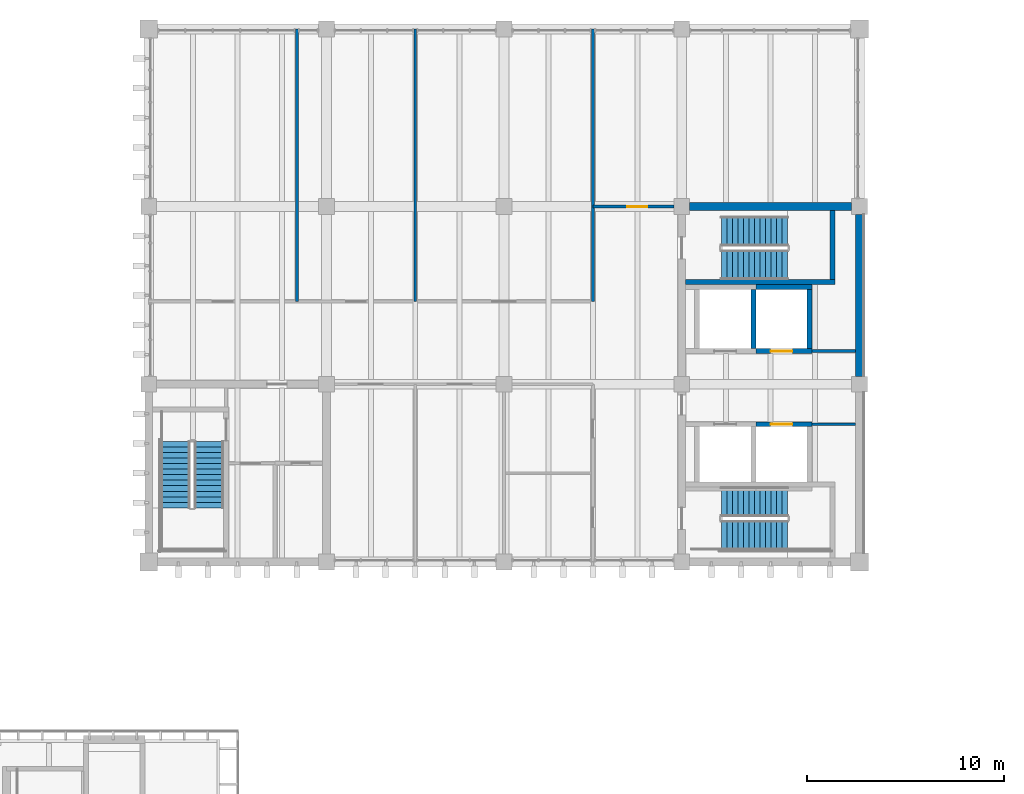
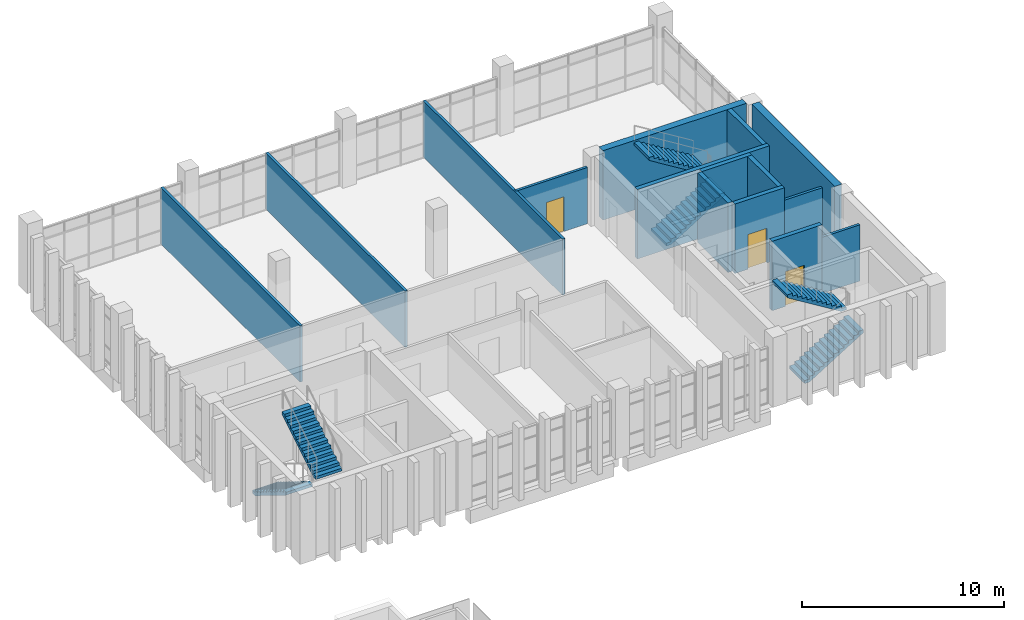
# One storey, part 20 of 29: 15 walls, 6 stair flights, 3 doors, 3 openings, 3 elements without a shape of their own.
"""IFC4 building model written with IfcOpenShell, lengths in metres."""

from ifc_helpers import new_model, si_unit, direction, frame, frame_2d, origin, place, context, subcontext, project, spatial, polyline, rectangle, outline, extrude, material, layer, layer_set, type_object, element, fill, aggregate, save


model = new_model("IFC4")

# Units and contexts
model_context = context("Model", 3, precision=1e-05, world=origin(), true_north=direction((0.0, 1.0)))
body_context = subcontext(model_context, "Body", "Model", "MODEL_VIEW")
ifc_project = project(units=[si_unit("LENGTHUNIT", "METRE"), si_unit("AREAUNIT", "SQUARE_METRE"), si_unit("VOLUMEUNIT", "CUBIC_METRE"), si_unit("PLANEANGLEUNIT", "RADIAN"), si_unit("MASSUNIT", "GRAM", prefix="KILO")], contexts=[model_context])

# Site, building, storey
site_placement = place(None, origin())
site = spatial("IfcSite", under=ifc_project, at=site_placement, CompositionType="ELEMENT")
building_placement = place(site_placement, origin())
building = spatial("IfcBuilding", under=site, at=building_placement, Name="Merrow Basin Faculty of Sciences", CompositionType="ELEMENT")
storey_placement = place(building_placement, frame((0.0, 0.0, 22.5)))
storey = spatial("IfcBuildingStorey", under=building, at=storey_placement, Name="L05", CompositionType="ELEMENT", Elevation=22.5)

# Walls
ifc_material_1 = material(Name="Fire-rated gypsum board")
ifc_layer_1 = layer(ifc_material_1, 0.14990234375)
ifc_layer_set_1 = layer_set([ifc_layer_1], Name="Corridor partition 150 fire-rated board on steel studs")
wall_type_1 = type_object("IfcWallType", Name="Corridor partition 150 fire-rated board on steel studs", PredefinedType="PARTITIONING", material=ifc_layer_set_1)
for number, where, z_axis, x_axis, name in (
    (1, (51.60009765625, 148.97509765625, 0.0), (0.0, 0.0, 1.0), (1.0, 0.0, 0.0), "IW151 L05 006"),
    (2, (51.60009765625, 152.675048828125, 0.0), (0.0, 0.0, 1.0), (1.0, 0.0, 0.0), "IW151 L05 008"),
):
    element("IfcWall", number, at=place(storey_placement, frame(where, z_axis=z_axis, x_axis=x_axis)), inside=storey, type_object=wall_type_1, Name=name, PredefinedType="PARTITIONING", context=body_context, shape_type="SweptSolid", body=[
        extrude(rectangle(XDim=2.199951171875, YDim=0.14990234375, at=frame_2d((1.10009765625, 0.0))), origin(), (0.0, 0.0, 1.0), 3.39990234375),
    ])

# Wall, opening, door
wall_1_placement = place(storey_placement, frame((40.5, 160.0, 0.0), z_axis=(0.0, 0.0, 1.0), x_axis=(1.0, 0.0, 0.0)))
wall_1 = element("IfcWall", 3, at=wall_1_placement, inside=storey, type_object=wall_type_1, Name="IW151 L05 009", PredefinedType="PARTITIONING", context=body_context, shape_type="SweptSolid", body=[
    extrude(rectangle(XDim=4.10009765625, YDim=0.14990234375, at=frame_2d((2.050048828125, 0.0))), origin(), (0.0, 0.0, 1.0), 3.39990234375),
])
opening_1_placement = place(wall_1_placement, frame((1.75, 0.0, 0.0)))
opening_1 = element("IfcOpeningElement", 4, at=opening_1_placement, cuts=wall_1, Name="Opening D05T015", PredefinedType="OPENING", context=body_context, shape_type="SweptSolid", body=[
    extrude(rectangle(XDim=1.0, YDim=2.10009765625, at=frame_2d((0.5, 1.050048828125))), frame((0.0, 0.0849609375, 0.0), z_axis=(0.0, -1.0, 0.0), x_axis=(1.0, 0.0, 0.0)), (0.0, 0.0, 1.0), 0.169921875),
])
ifc_material_2 = material(Name="Timber door leaf", Category="wood")
door_type_1 = type_object("IfcDoorType", Name="Single swing door 1000 x 2100", OperationType="NOTDEFINED", PredefinedType="DOOR", material=ifc_material_2)
door_1_placement = place(opening_1_placement, origin())
door_1 = element("IfcDoor", 5, at=door_1_placement, inside=storey, type_object=door_type_1, Name="Door D05T015", OperationType="SINGLE_SWING_LEFT", OverallHeight=2.10009765625, OverallWidth=1.0, PredefinedType="DOOR", context=body_context, shape_type="SweptSolid", body=[
    extrude(rectangle(XDim=1.0, YDim=2.10009765625, at=frame_2d((0.5, 1.050048828125))), frame((0.0, 0.02490234375, 0.0), z_axis=(0.0, -1.0, 0.0), x_axis=(1.0, 0.0, 0.0)), (0.0, 0.0, 1.0), 0.050048828125),
])
fill(opening_1, door_1)

# Walls
ifc_material_3 = material(Name="Fire-rated gypsum board")
ifc_layer_2 = layer(ifc_material_3, 0.14990234375)
ifc_layer_set_2 = layer_set([ifc_layer_2], Name="Laboratory partition 150 fire-rated board on steel studs")
wall_type_2 = type_object("IfcWallType", Name="Laboratory partition 150 fire-rated board on steel studs", PredefinedType="PARTITIONING", material=ifc_layer_set_2)
for number, where, z_axis, x_axis, name in (
    (6, (25.5, 155.199951171875, 0.0), (0.0, 0.0, 1.0), (0.0, 1.0, 0.0), "IW150 L05 010"),
    (7, (31.5, 155.199951171875, 0.0), (0.0, 0.0, 1.0), (0.0, 1.0, 0.0), "IW150 L05 012"),
    (8, (40.5, 155.199951171875, 0.0), (0.0, 0.0, 1.0), (0.0, 1.0, 0.0), "IW150 L05 014"),
):
    element("IfcWall", number, at=place(storey_placement, frame(where, z_axis=z_axis, x_axis=x_axis)), inside=storey, type_object=wall_type_2, Name=name, PredefinedType="PARTITIONING", context=body_context, shape_type="SweptSolid", body=[
        extrude(rectangle(XDim=13.800048828125, YDim=0.14990234375, at=frame_2d((6.89990234375, 0.0))), origin(), (0.0, 0.0, 1.0), 3.39990234375),
    ])
ifc_material_4 = material(Name="Concrete C40/50", Category="concrete")
ifc_layer_3 = layer(ifc_material_4, 0.25)
ifc_layer_set_3 = layer_set([ifc_layer_3], Name="Shear wall 250 Concrete C40/50")
wall_type_3 = type_object("IfcWallType", Name="Shear wall 250 Concrete C40/50", PredefinedType="SHEAR", material=ifc_layer_set_3)
wall_2_placement = place(storey_placement, frame((45.199951171875, 156.175048828125, 0.0), z_axis=(0.0, 0.0, 1.0), x_axis=(1.0, 0.0, 0.0)))
element("IfcWall", 9, at=wall_2_placement, inside=storey, type_object=wall_type_3, Name="SW2 L05 007", PredefinedType="SHEAR", context=body_context, shape_type="SweptSolid", body=[
    extrude(rectangle(XDim=7.550048828125, YDim=0.25, at=frame_2d((3.77490234375, 0.0))), origin(), (0.0, 0.0, 1.0), 4.199951171875),
])
wall_3_placement = place(storey_placement, frame((52.625, 156.300048828125, 0.0), z_axis=(0.0, 0.0, 1.0), x_axis=(0.0, 1.0, 0.0)))
element("IfcWall", 10, at=wall_3_placement, inside=storey, type_object=wall_type_3, Name="SW2 L05 008", PredefinedType="SHEAR", context=body_context, shape_type="SweptSolid", body=[
    extrude(rectangle(XDim=3.5, YDim=0.25, at=frame_2d((1.75, 0.0))), origin(), (0.0, 0.0, 1.0), 4.199951171875),
])
wall_4_placement = place(storey_placement, frame((48.625, 152.800048828125, 0.0), z_axis=(0.0, 0.0, 1.0), x_axis=(0.0, 1.0, 0.0)))
element("IfcWall", 11, at=wall_4_placement, inside=storey, type_object=wall_type_3, Name="SW2 L05 014", PredefinedType="SHEAR", context=body_context, shape_type="SweptSolid", body=[
    extrude(rectangle(XDim=3.0, YDim=0.25, at=frame_2d((1.5, 0.0))), origin(), (0.0, 0.0, 1.0), 4.199951171875),
])

# Wall, opening, door
wall_5_placement = place(storey_placement, frame((48.75, 152.675048828125, 0.0), z_axis=(0.0, 0.0, 1.0), x_axis=(1.0, 0.0, 0.0)))
wall_5 = element("IfcWall", 12, at=wall_5_placement, inside=storey, type_object=wall_type_3, Name="SW2 L05 015", PredefinedType="SHEAR", context=body_context, shape_type="SweptSolid", body=[
    extrude(rectangle(XDim=2.85009765625, YDim=0.25, at=frame_2d((1.425048828125, 0.0))), origin(), (0.0, 0.0, 1.0), 4.199951171875),
])
opening_2_placement = place(wall_5_placement, frame((0.75, 0.0, 0.0)))
opening_2 = element("IfcOpeningElement", 13, at=opening_2_placement, cuts=wall_5, Name="Opening LD05T02", PredefinedType="OPENING", context=body_context, shape_type="SweptSolid", body=[
    extrude(rectangle(XDim=1.10009765625, YDim=2.10009765625, at=frame_2d((0.550048828125, 1.050048828125))), frame((0.0, 0.135009765625, 0.0), z_axis=(0.0, -1.0, 0.0), x_axis=(1.0, 0.0, 0.0)), (0.0, 0.0, 1.0), 0.27001953125),
])
ifc_material_5 = material(Name="Stainless steel sliding door", Category="steel")
door_type_2 = type_object("IfcDoorType", Name="Lift landing door 1100 x 2100 sliding", OperationType="NOTDEFINED", PredefinedType="DOOR", material=ifc_material_5)
door_2_placement = place(opening_2_placement, origin())
door_2 = element("IfcDoor", 14, at=door_2_placement, inside=storey, type_object=door_type_2, Name="Landing door LF12 L05", OperationType="SLIDING_TO_LEFT", OverallHeight=2.10009765625, OverallWidth=1.10009765625, PredefinedType="DOOR", context=body_context, shape_type="SweptSolid", body=[
    extrude(rectangle(XDim=1.10009765625, YDim=2.10009765625, at=frame_2d((0.550048828125, 1.050048828125))), frame((0.0, 0.02490234375, 0.0), z_axis=(0.0, -1.0, 0.0), x_axis=(1.0, 0.0, 0.0)), (0.0, 0.0, 1.0), 0.050048828125),
])
fill(opening_2, door_2)

# Walls
wall_6_placement = place(storey_placement, frame((48.75, 155.925048828125, 0.0), z_axis=(0.0, 0.0, 1.0), x_axis=(1.0, 0.0, 0.0)))
element("IfcWall", 15, at=wall_6_placement, inside=storey, type_object=wall_type_3, Name="SW2 L05 016", PredefinedType="SHEAR", context=body_context, shape_type="SweptSolid", body=[
    extrude(rectangle(XDim=2.85009765625, YDim=0.25, at=frame_2d((1.425048828125, 0.0))), origin(), (0.0, 0.0, 1.0), 4.199951171875),
])
wall_7_placement = place(storey_placement, frame((51.47509765625, 152.800048828125, 0.0), z_axis=(0.0, 0.0, 1.0), x_axis=(0.0, 1.0, 0.0)))
element("IfcWall", 16, at=wall_7_placement, inside=storey, type_object=wall_type_3, Name="SW2 L05 017", PredefinedType="SHEAR", context=body_context, shape_type="SweptSolid", body=[
    extrude(rectangle(XDim=3.0, YDim=0.25, at=frame_2d((1.5, 0.0))), origin(), (0.0, 0.0, 1.0), 4.199951171875),
])

# Wall, opening, door
wall_8_placement = place(storey_placement, frame((48.75, 148.97509765625, 0.0), z_axis=(0.0, 0.0, 1.0), x_axis=(1.0, 0.0, 0.0)))
wall_8 = element("IfcWall", 17, at=wall_8_placement, inside=storey, type_object=wall_type_3, Name="SW2 L05 023", PredefinedType="SHEAR", context=body_context, shape_type="SweptSolid", body=[
    extrude(rectangle(XDim=2.85009765625, YDim=0.25, at=frame_2d((1.425048828125, 0.0))), origin(), (0.0, 0.0, 1.0), 4.199951171875),
])
opening_3_placement = place(wall_8_placement, frame((0.75, 0.0, 0.0)))
opening_3 = element("IfcOpeningElement", 18, at=opening_3_placement, cuts=wall_8, Name="Opening LD05T04", PredefinedType="OPENING", context=body_context, shape_type="SweptSolid", body=[
    extrude(rectangle(XDim=1.10009765625, YDim=2.10009765625, at=frame_2d((0.550048828125, 1.050048828125))), frame((0.0, 0.135009765625, 0.0), z_axis=(0.0, -1.0, 0.0), x_axis=(1.0, 0.0, 0.0)), (0.0, 0.0, 1.0), 0.27001953125),
])
door_3_placement = place(opening_3_placement, origin())
door_3 = element("IfcDoor", 19, at=door_3_placement, inside=storey, type_object=door_type_2, Name="Landing door LF14 L05", OperationType="SLIDING_TO_LEFT", OverallHeight=2.10009765625, OverallWidth=1.10009765625, PredefinedType="DOOR", context=body_context, shape_type="SweptSolid", body=[
    extrude(rectangle(XDim=1.10009765625, YDim=2.10009765625, at=frame_2d((0.550048828125, 1.050048828125))), frame((0.0, 0.02490234375, 0.0), z_axis=(0.0, -1.0, 0.0), x_axis=(1.0, 0.0, 0.0)), (0.0, 0.0, 1.0), 0.050048828125),
])
fill(opening_3, door_3)

# Walls
ifc_material_6 = material(Name="Concrete C40/50", Category="concrete")
ifc_layer_4 = layer(ifc_material_6, 0.39990234375)
ifc_layer_set_4 = layer_set([ifc_layer_4], Name="Shear wall 400 Concrete C40/50")
wall_type_4 = type_object("IfcWallType", Name="Shear wall 400 Concrete C40/50", PredefinedType="SHEAR", material=ifc_layer_set_4)
for number, where, z_axis, x_axis, name in (
    (20, (45.39990234375, 160.0, 0.0), (0.0, 0.0, 1.0), (1.0, 0.0, 0.0), "SW1 L05 002"),
    (21, (54.0, 151.39990234375, 0.0), (0.0, 0.0, 1.0), (0.0, 1.0, 0.0), "SW1 L05 005"),
):
    element("IfcWall", number, at=place(storey_placement, frame(where, z_axis=z_axis, x_axis=x_axis)), inside=storey, type_object=wall_type_4, Name=name, PredefinedType="SHEAR", context=body_context, shape_type="SweptSolid", body=[
        extrude(rectangle(XDim=8.2001953125, YDim=0.39990234375, at=frame_2d((4.10009765625, 0.0))), origin(), (0.0, 0.0, 1.0), 4.199951171875),
    ])

# Stair, stair flights
ifc_material_7 = material(Name="Concrete C40/50", Category="concrete")
stair_type = type_object("IfcStairType", Name="Concrete dog-leg stair Concrete C40/50", PredefinedType="HALF_TURN_STAIR", material=ifc_material_7)
stair_1_placement = place(storey_placement, origin())
stair_1 = element("IfcStair", 22, at=stair_1_placement, inside=storey, type_object=stair_type, Name="L05 Exit stair S", PredefinedType="HALF_TURN_STAIR")
ifc_material_8 = material(Name="Concrete C40/50", Category="concrete")
stair_flight_type = type_object("IfcStairFlightType", Name="Concrete stair flight Concrete C40/50", PredefinedType="STRAIGHT", material=ifc_material_8)
stair_flight_1_placement = place(storey_placement, frame((47.0, 157.050048828125, 0.0), z_axis=(0.0, 0.0, 1.0), x_axis=(1.0, 0.0, 0.0)))
stair_flight_1 = element("IfcStairFlight", 23, at=stair_flight_1_placement, type_object=stair_flight_type, Name="ST-V5-S flight 1", NumberOfRisers=13, NumberOfTreads=12, PredefinedType="STRAIGHT", RiserHeight=0.173076923, TreadLength=0.28, context=body_context, shape_type="SweptSolid", body=[
    extrude(outline(polyline([(0.0, 0.0), (0.0, 0.173095703125), (0.280029296875, 0.173095703125), (0.280029296875, 0.34619140625), (0.56005859375, 0.34619140625), (0.56005859375, 0.519287109375), (0.840087890625, 0.519287109375), (0.840087890625, 0.6923828125), (1.1201171875, 0.6923828125), (1.1201171875, 0.865478515625), (1.39990234375, 0.865478515625), (1.39990234375, 1.03857421875), (1.679931640625, 1.03857421875), (1.679931640625, 1.21142578125), (1.9599609375, 1.21142578125), (1.9599609375, 1.384521484375), (2.239990234375, 1.384521484375), (2.239990234375, 1.5576171875), (2.52001953125, 1.5576171875), (2.52001953125, 1.730712890625), (2.800048828125, 1.730712890625), (2.800048828125, 1.90380859375), (3.080078125, 1.90380859375), (3.080078125, 2.076904296875), (3.360107421875, 2.076904296875), (3.360107421875, 2.25), (3.360107421875, 1.900634765625), (0.28515625, 0.0), (0.0, 0.0)])), frame((0.0, 0.75, 0.0), z_axis=(0.0, -1.0, 0.0), x_axis=(1.0, 0.0, 0.0)), (0.0, 0.0, 1.0), 1.5),
])
stair_flight_2_placement = place(storey_placement, frame((50.360107421875, 158.75, 2.25), z_axis=(0.0, 0.0, 1.0), x_axis=(-1.0, 0.0, 0.0)))
stair_flight_2 = element("IfcStairFlight", 24, at=stair_flight_2_placement, type_object=stair_flight_type, Name="ST-V5-S flight 2", NumberOfRisers=13, NumberOfTreads=12, PredefinedType="STRAIGHT", RiserHeight=0.173076923, TreadLength=0.28, context=body_context, shape_type="SweptSolid", body=[
    extrude(outline(polyline([(0.0, 0.0), (0.0, 0.173095703125), (0.280029296875, 0.173095703125), (0.280029296875, 0.34619140625), (0.56005859375, 0.34619140625), (0.56005859375, 0.519287109375), (0.840087890625, 0.519287109375), (0.840087890625, 0.6923828125), (1.1201171875, 0.6923828125), (1.1201171875, 0.865478515625), (1.39990234375, 0.865478515625), (1.39990234375, 1.03857421875), (1.679931640625, 1.03857421875), (1.679931640625, 1.21142578125), (1.9599609375, 1.21142578125), (1.9599609375, 1.384521484375), (2.239990234375, 1.384521484375), (2.239990234375, 1.5576171875), (2.52001953125, 1.5576171875), (2.52001953125, 1.730712890625), (2.800048828125, 1.730712890625), (2.800048828125, 1.90380859375), (3.080078125, 1.90380859375), (3.080078125, 2.076904296875), (3.360107421875, 2.076904296875), (3.360107421875, 2.25), (3.360107421875, 1.900634765625), (0.28515625, 0.0), (0.0, 0.0)])), frame((0.0, 0.75, 0.0), z_axis=(0.0, -1.0, 0.0), x_axis=(1.0, 0.0, 0.0)), (0.0, 0.0, 1.0), 1.5),
])
aggregate(stair_1, [stair_flight_1, stair_flight_2])

stair_2_placement = place(storey_placement, origin())
stair_2 = element("IfcStair", 25, at=stair_2_placement, inside=storey, type_object=stair_type, Name="L05 Exit stair N", PredefinedType="HALF_TURN_STAIR")
stair_flight_3_placement = place(storey_placement, frame((47.0, 143.35009765625, 0.0), z_axis=(0.0, 0.0, 1.0), x_axis=(1.0, 0.0, 0.0)))
stair_flight_3 = element("IfcStairFlight", 26, at=stair_flight_3_placement, type_object=stair_flight_type, Name="ST-V5-N flight 1", NumberOfRisers=13, NumberOfTreads=12, PredefinedType="STRAIGHT", RiserHeight=0.173076923, TreadLength=0.28, context=body_context, shape_type="SweptSolid", body=[
    extrude(outline(polyline([(0.0, 0.0), (0.0, 0.173095703125), (0.280029296875, 0.173095703125), (0.280029296875, 0.34619140625), (0.56005859375, 0.34619140625), (0.56005859375, 0.519287109375), (0.840087890625, 0.519287109375), (0.840087890625, 0.6923828125), (1.1201171875, 0.6923828125), (1.1201171875, 0.865478515625), (1.39990234375, 0.865478515625), (1.39990234375, 1.03857421875), (1.679931640625, 1.03857421875), (1.679931640625, 1.21142578125), (1.9599609375, 1.21142578125), (1.9599609375, 1.384521484375), (2.239990234375, 1.384521484375), (2.239990234375, 1.5576171875), (2.52001953125, 1.5576171875), (2.52001953125, 1.730712890625), (2.800048828125, 1.730712890625), (2.800048828125, 1.90380859375), (3.080078125, 1.90380859375), (3.080078125, 2.076904296875), (3.360107421875, 2.076904296875), (3.360107421875, 2.25), (3.360107421875, 1.900634765625), (0.28515625, 0.0), (0.0, 0.0)])), frame((0.0, 0.75, 0.0), z_axis=(0.0, -1.0, 0.0), x_axis=(1.0, 0.0, 0.0)), (0.0, 0.0, 1.0), 1.5),
])
stair_flight_4_placement = place(storey_placement, frame((50.360107421875, 145.050048828125, 2.25), z_axis=(0.0, 0.0, 1.0), x_axis=(-1.0, 0.0, 0.0)))
stair_flight_4 = element("IfcStairFlight", 27, at=stair_flight_4_placement, type_object=stair_flight_type, Name="ST-V5-N flight 2", NumberOfRisers=13, NumberOfTreads=12, PredefinedType="STRAIGHT", RiserHeight=0.173076923, TreadLength=0.28, context=body_context, shape_type="SweptSolid", body=[
    extrude(outline(polyline([(0.0, 0.0), (0.0, 0.173095703125), (0.280029296875, 0.173095703125), (0.280029296875, 0.34619140625), (0.56005859375, 0.34619140625), (0.56005859375, 0.519287109375), (0.840087890625, 0.519287109375), (0.840087890625, 0.6923828125), (1.1201171875, 0.6923828125), (1.1201171875, 0.865478515625), (1.39990234375, 0.865478515625), (1.39990234375, 1.03857421875), (1.679931640625, 1.03857421875), (1.679931640625, 1.21142578125), (1.9599609375, 1.21142578125), (1.9599609375, 1.384521484375), (2.239990234375, 1.384521484375), (2.239990234375, 1.5576171875), (2.52001953125, 1.5576171875), (2.52001953125, 1.730712890625), (2.800048828125, 1.730712890625), (2.800048828125, 1.90380859375), (3.080078125, 1.90380859375), (3.080078125, 2.076904296875), (3.360107421875, 2.076904296875), (3.360107421875, 2.25), (3.360107421875, 1.900634765625), (0.28515625, 0.0), (0.0, 0.0)])), frame((0.0, 0.75, 0.0), z_axis=(0.0, -1.0, 0.0), x_axis=(1.0, 0.0, 0.0)), (0.0, 0.0, 1.0), 1.5),
])
aggregate(stair_2, [stair_flight_3, stair_flight_4])

stair_3_placement = place(storey_placement, origin())
stair_3 = element("IfcStair", 28, at=stair_3_placement, inside=storey, type_object=stair_type, Name="L05 Exit stair W", PredefinedType="HALF_TURN_STAIR")
stair_flight_5_placement = place(storey_placement, frame((19.35009765625, 148.10009765625, 0.0), z_axis=(0.0, 0.0, 1.0), x_axis=(0.0, -1.0, 0.0)))
stair_flight_5 = element("IfcStairFlight", 29, at=stair_flight_5_placement, type_object=stair_flight_type, Name="ST-V5-W flight 1", NumberOfRisers=13, NumberOfTreads=12, PredefinedType="STRAIGHT", RiserHeight=0.173076923, TreadLength=0.28, context=body_context, shape_type="SweptSolid", body=[
    extrude(outline(polyline([(0.0, 0.0), (0.0, 0.173095703125), (0.280029296875, 0.173095703125), (0.280029296875, 0.34619140625), (0.56005859375, 0.34619140625), (0.56005859375, 0.519287109375), (0.840087890625, 0.519287109375), (0.840087890625, 0.6923828125), (1.1201171875, 0.6923828125), (1.1201171875, 0.865478515625), (1.39990234375, 0.865478515625), (1.39990234375, 1.03857421875), (1.679931640625, 1.03857421875), (1.679931640625, 1.21142578125), (1.9599609375, 1.21142578125), (1.9599609375, 1.384521484375), (2.239990234375, 1.384521484375), (2.239990234375, 1.5576171875), (2.52001953125, 1.5576171875), (2.52001953125, 1.730712890625), (2.800048828125, 1.730712890625), (2.800048828125, 1.90380859375), (3.080078125, 1.90380859375), (3.080078125, 2.076904296875), (3.360107421875, 2.076904296875), (3.360107421875, 2.25), (3.360107421875, 1.900634765625), (0.28515625, 0.0), (0.0, 0.0)])), frame((0.0, 0.75, 0.0), z_axis=(0.0, -1.0, 0.0), x_axis=(1.0, 0.0, 0.0)), (0.0, 0.0, 1.0), 1.5),
])
stair_flight_6_placement = place(storey_placement, frame((21.050048828125, 144.739990234375, 2.25), z_axis=(0.0, 0.0, 1.0), x_axis=(0.0, 1.0, 0.0)))
stair_flight_6 = element("IfcStairFlight", 30, at=stair_flight_6_placement, type_object=stair_flight_type, Name="ST-V5-W flight 2", NumberOfRisers=13, NumberOfTreads=12, PredefinedType="STRAIGHT", RiserHeight=0.173076923, TreadLength=0.28, context=body_context, shape_type="SweptSolid", body=[
    extrude(outline(polyline([(0.0, 0.0), (0.0, 0.173095703125), (0.280029296875, 0.173095703125), (0.280029296875, 0.34619140625), (0.56005859375, 0.34619140625), (0.56005859375, 0.519287109375), (0.840087890625, 0.519287109375), (0.840087890625, 0.6923828125), (1.1201171875, 0.6923828125), (1.1201171875, 0.865478515625), (1.39990234375, 0.865478515625), (1.39990234375, 1.03857421875), (1.679931640625, 1.03857421875), (1.679931640625, 1.21142578125), (1.9599609375, 1.21142578125), (1.9599609375, 1.384521484375), (2.239990234375, 1.384521484375), (2.239990234375, 1.5576171875), (2.52001953125, 1.5576171875), (2.52001953125, 1.730712890625), (2.800048828125, 1.730712890625), (2.800048828125, 1.90380859375), (3.080078125, 1.90380859375), (3.080078125, 2.076904296875), (3.360107421875, 2.076904296875), (3.360107421875, 2.25), (3.360107421875, 1.900634765625), (0.28515625, 0.0), (0.0, 0.0)])), frame((0.0, 0.75, 0.0), z_axis=(0.0, -1.0, 0.0), x_axis=(1.0, 0.0, 0.0)), (0.0, 0.0, 1.0), 1.5),
])
aggregate(stair_3, [stair_flight_5, stair_flight_6])

save(model, "model.ifc")
